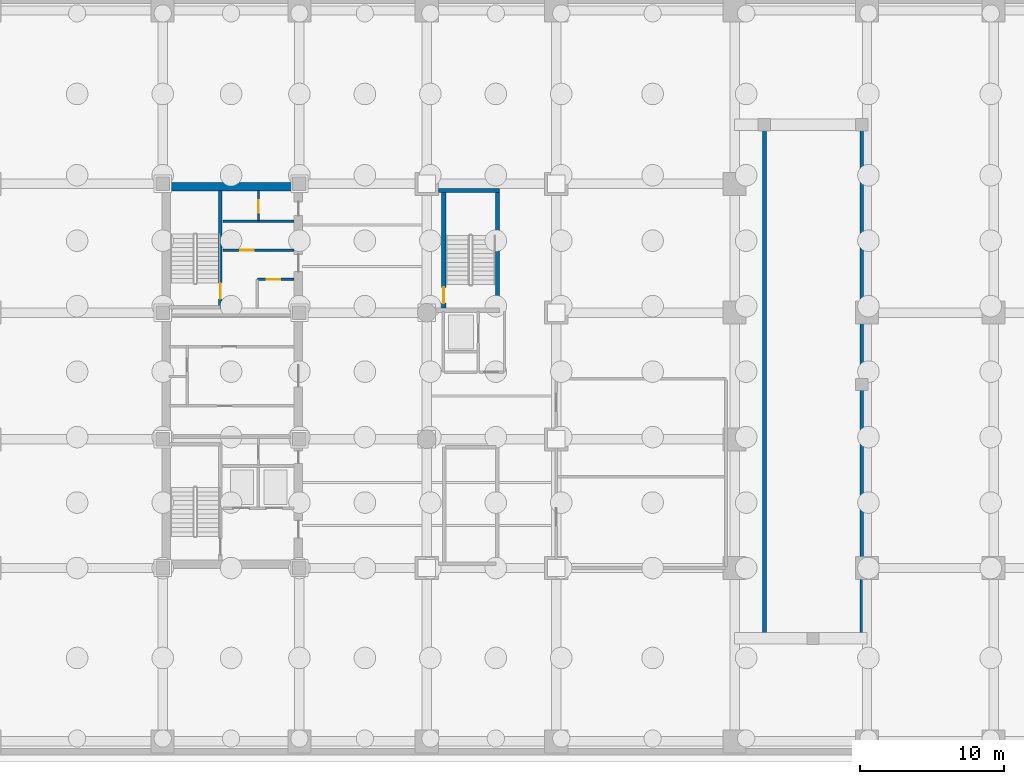
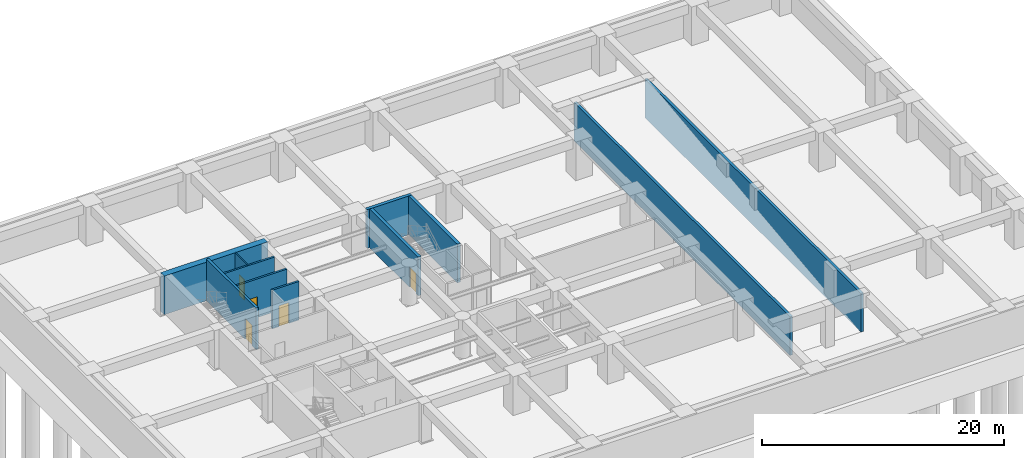
# One storey, part 6 of 9: 11 walls, 5 doors, 5 openings.
"""IFC4 building model written with IfcOpenShell, lengths in metres."""

from ifc_helpers import new_model, si_unit, direction, frame, frame_2d, origin, place, context, subcontext, project, spatial, rectangle, extrude, material, layer, layer_set, type_object, element, fill, save


model = new_model("IFC4")

# Units and contexts
model_context = context("Model", 3, precision=1e-05, world=origin(), true_north=direction((0.0, 1.0)))
body_context = subcontext(model_context, "Body", "Model", "MODEL_VIEW")
ifc_project = project(units=[si_unit("LENGTHUNIT", "METRE"), si_unit("AREAUNIT", "SQUARE_METRE"), si_unit("VOLUMEUNIT", "CUBIC_METRE"), si_unit("PLANEANGLEUNIT", "RADIAN"), si_unit("MASSUNIT", "GRAM", prefix="KILO")], contexts=[model_context])

# Site, building, storey
site_placement = place(None, origin())
site = spatial("IfcSite", under=ifc_project, at=site_placement, CompositionType="ELEMENT")
building_placement = place(site_placement, origin())
building = spatial("IfcBuilding", under=site, at=building_placement, Name="Kundavana Baori Tower", CompositionType="ELEMENT")
storey_placement = place(building_placement, frame((0.0, 0.0, -8.39990234375)))
storey = spatial("IfcBuildingStorey", under=building, at=storey_placement, Name="B02", CompositionType="ELEMENT", Elevation=-8.39990234375)

# Wall, opening, door
ifc_material_1 = material(Name="Concrete C50/60", Category="concrete")
ifc_layer_1 = layer(ifc_material_1, 0.39990234375, Name="WL-CORE-400")
ifc_layer_set_1 = layer_set([ifc_layer_1], Name="Concrete C50/60")
wall_type_1 = type_object("IfcWallType", Name="WL-CORE-400", PredefinedType="SHEAR", material=ifc_layer_set_1)
wall_1_placement = place(storey_placement, frame((19.4599609375, 33.300048828125, 0.0), z_axis=(0.0, 0.0, 1.0), x_axis=(0.0, 1.0, 0.0)))
wall_1 = element("IfcWall", 1, at=wall_1_placement, inside=storey, type_object=wall_type_1, Name="WL-B02-ST2-E", PredefinedType="SHEAR", context=body_context, shape_type="SweptSolid", body=[
    extrude(rectangle(XDim=8.179931640625, YDim=0.239990234375, at=frame_2d((4.08984375, 0.0))), origin(), (0.0, 0.0, 1.0), 4.199951171875),
])
opening_1_placement = place(wall_1_placement, frame((0.64990234375, 0.0, 0.0)))
opening_1 = element("IfcOpeningElement", 2, at=opening_1_placement, cuts=wall_1, Name="Opening FD-110", PredefinedType="OPENING", context=body_context, shape_type="SweptSolid", body=[
    extrude(rectangle(XDim=1.10009765625, YDim=2.10009765625, at=frame_2d((0.550048828125, 1.050048828125))), frame((0.0, 0.1298828125, 0.0), z_axis=(0.0, -1.0, 0.0), x_axis=(1.0, 0.0, 0.0)), (0.0, 0.0, 1.0), 0.260009765625),
])
ifc_material_2 = material(Name="Galvanised Steel Fire-Rated Door Leaf", Category="steel")
door_type_1 = type_object("IfcDoorType", Name="DR-FD120-1100", OperationType="NOTDEFINED", PredefinedType="DOOR", material=ifc_material_2)
door_1_placement = place(opening_1_placement, origin())
door_1 = element("IfcDoor", 3, at=door_1_placement, inside=storey, type_object=door_type_1, Name="DR-B02-ST2", OperationType="SINGLE_SWING_RIGHT", OverallHeight=2.10009765625, OverallWidth=1.10009765625, PredefinedType="DOOR", context=body_context, shape_type="SweptSolid", body=[
    extrude(rectangle(XDim=1.10009765625, YDim=2.10009765625, at=frame_2d((0.550048828125, 1.050048828125))), frame((0.0, 0.02490234375, 0.0), z_axis=(0.0, -1.0, 0.0), x_axis=(1.0, 0.0, 0.0)), (0.0, 0.0, 1.0), 0.050048828125),
])
fill(opening_1, door_1)

# Wall
ifc_material_3 = material(Name="Concrete C60/75", Category="concrete")
ifc_layer_2 = layer(ifc_material_3, 0.60009765625, Name="WL-CORE-600")
ifc_layer_set_2 = layer_set([ifc_layer_2], Name="Concrete C60/75")
wall_type_2 = type_object("IfcWallType", Name="WL-CORE-600", PredefinedType="SHEAR", material=ifc_layer_set_2)
wall_2_placement = place(storey_placement, frame((15.300048828125, 41.739990234375, 0.0), z_axis=(0.0, 0.0, 1.0), x_axis=(1.0, 0.0, 0.0)))
element("IfcWall", 4, at=wall_2_placement, inside=storey, type_object=wall_type_2, Name="B02 Offset Core North Shear Wall", PredefinedType="SHEAR", context=body_context, shape_type="SweptSolid", body=[
    extrude(rectangle(XDim=9.8798828125, YDim=0.60009765625, at=frame_2d((4.93994140625, 0.0))), origin(), (0.0, 0.0, 1.0), 3.89990234375),
])

# Wall, opening, door
ifc_material_4 = material(Name="Acoustic Gypsum Plasterboard on Galvanised Steel Studs", Category="steel")
ifc_layer_3 = layer(ifc_material_4, 0.1201171875, Name="WL-PART-120")
ifc_layer_set_3 = layer_set([ifc_layer_3], Name="Acoustic Gypsum Plasterboard on Galvanised Steel Studs")
wall_type_3 = type_object("IfcWallType", Name="WL-PART-120", PredefinedType="PARTITIONING", material=ifc_layer_set_3)
wall_3_placement = place(storey_placement, frame((22.10009765625, 39.39990234375, 0.0), z_axis=(0.0, 0.0, 1.0), x_axis=(0.0, 1.0, 0.0)))
wall_3 = element("IfcWall", 5, at=wall_3_placement, inside=storey, type_object=wall_type_3, Name="WL-B02-CSRV-D1", PredefinedType="PARTITIONING", context=body_context, shape_type="SweptSolid", body=[
    extrude(rectangle(XDim=2.080078125, YDim=0.1201171875, at=frame_2d((1.0400390625, 0.0))), origin(), (0.0, 0.0, 1.0), 3.89990234375),
])
opening_2_placement = place(wall_3_placement, frame((0.550048828125, 0.0, 0.0)))
opening_2 = element("IfcOpeningElement", 6, at=opening_2_placement, cuts=wall_3, Name="Opening FD-085", PredefinedType="OPENING", context=body_context, shape_type="SweptSolid", body=[
    extrude(rectangle(XDim=0.85009765625, YDim=2.06005859375, at=frame_2d((0.425048828125, 1.030029296875))), frame((0.0, 0.070068359375, 0.0), z_axis=(0.0, -1.0, 0.0), x_axis=(1.0, 0.0, 0.0)), (0.0, 0.0, 1.0), 0.14013671875),
])
ifc_material_5 = material(Name="Galvanised Steel Fire-Rated Door Leaf", Category="steel")
door_type_2 = type_object("IfcDoorType", Name="DR-FD60-850", OperationType="NOTDEFINED", PredefinedType="DOOR", material=ifc_material_5)
door_2_placement = place(opening_2_placement, origin())
door_2 = element("IfcDoor", 7, at=door_2_placement, inside=storey, type_object=door_type_2, Name="DR-B02-CSRV1", OperationType="SINGLE_SWING_LEFT", OverallHeight=2.06005859375, OverallWidth=0.85009765625, PredefinedType="DOOR", context=body_context, shape_type="SweptSolid", body=[
    extrude(rectangle(XDim=0.85009765625, YDim=2.06005859375, at=frame_2d((0.425048828125, 1.030029296875))), frame((0.0, 0.02490234375, 0.0), z_axis=(0.0, -1.0, 0.0), x_axis=(1.0, 0.0, 0.0)), (0.0, 0.0, 1.0), 0.050048828125),
])
fill(opening_2, door_2)

# Walls
ifc_material_6 = material(Name="Concrete C40/50", Category="concrete")
ifc_layer_4 = layer(ifc_material_6, 0.25, Name="WL-RMP-250")
ifc_layer_set_4 = layer_set([ifc_layer_4], Name="Concrete C40/50")
wall_type_4 = type_object("IfcWallType", Name="WL-RMP-250", PredefinedType="SHEAR", material=ifc_layer_set_4)
for number, where, z_axis, x_axis, name in (
    (8, (57.27490234375, 10.5, 0.0), (0.0, 0.0, 1.0), (0.0, 1.0, 0.0), "B02 Vehicle Ramp West Shaft Wall"),
    (9, (64.02490234375, 10.5, 0.0), (0.0, 0.0, 1.0), (0.0, 1.0, 0.0), "B02 Vehicle Ramp East Shaft Wall"),
):
    element("IfcWall", number, at=place(storey_placement, frame(where, z_axis=z_axis, x_axis=x_axis)), inside=storey, type_object=wall_type_4, Name=name, PredefinedType="SHEAR", context=body_context, shape_type="SweptSolid", body=[
        extrude(rectangle(XDim=35.699951171875, YDim=0.25, at=frame_2d((17.85009765625, 0.0))), origin(), (0.0, 0.0, 1.0), 3.89990234375),
    ])

# Wall, opening, door
ifc_material_7 = material(Name="Autoclaved Aerated Concrete Blockwork Masonry", Category="masonry")
ifc_layer_5 = layer(ifc_material_7, 0.179931640625, Name="WL-SHAFT-180")
ifc_layer_set_5 = layer_set([ifc_layer_5], Name="Autoclaved Aerated Concrete Blockwork Masonry")
wall_type_5 = type_object("IfcWallType", Name="WL-SHAFT-180", PredefinedType="SOLIDWALL", material=ifc_layer_set_5)
wall_4_placement = place(storey_placement, frame((22.02001953125, 35.31005859375, 0.0), z_axis=(0.0, 0.0, 1.0), x_axis=(1.0, 0.0, 0.0)))
wall_4 = element("IfcWall", 10, at=wall_4_placement, inside=storey, type_object=wall_type_5, Name="WL-B02-LP11-N", PredefinedType="SOLIDWALL", context=body_context, shape_type="SweptSolid", body=[
    extrude(rectangle(XDim=2.56005859375, YDim=0.179931640625, at=frame_2d((1.280029296875, 0.0))), origin(), (0.0, 0.0, 1.0), 3.89990234375),
])
opening_3_placement = place(wall_4_placement, frame((0.64990234375, 0.0, 0.0)))
opening_3 = element("IfcOpeningElement", 11, at=opening_3_placement, cuts=wall_4, Name="Opening FD-095", PredefinedType="OPENING", context=body_context, shape_type="SweptSolid", body=[
    extrude(rectangle(XDim=0.949951171875, YDim=2.10009765625, at=frame_2d((0.47509765625, 1.050048828125))), frame((0.0, 0.10009765625, 0.0), z_axis=(0.0, -1.0, 0.0), x_axis=(1.0, 0.0, 0.0)), (0.0, 0.0, 1.0), 0.199951171875),
])
ifc_material_8 = material(Name="Engineered Teak Fire-Rated Timber Door Leaf", Category="wood")
door_type_3 = type_object("IfcDoorType", Name="DR-FD60-950", OperationType="NOTDEFINED", PredefinedType="DOOR", material=ifc_material_8)
door_3_placement = place(opening_3_placement, origin())
door_3 = element("IfcDoor", 12, at=door_3_placement, inside=storey, type_object=door_type_3, Name="DR-B02-BSMTHR2", OperationType="SINGLE_SWING_RIGHT", OverallHeight=2.10009765625, OverallWidth=0.949951171875, PredefinedType="DOOR", context=body_context, shape_type="SweptSolid", body=[
    extrude(rectangle(XDim=0.949951171875, YDim=2.10009765625, at=frame_2d((0.47509765625, 1.050048828125))), frame((0.0, 0.02490234375, 0.0), z_axis=(0.0, -1.0, 0.0), x_axis=(1.0, 0.0, 0.0)), (0.0, 0.0, 1.0), 0.050048828125),
])
fill(opening_3, door_3)

wall_5_placement = place(storey_placement, frame((19.639892578125, 37.340087890625, 0.0), z_axis=(0.0, 0.0, 1.0), x_axis=(1.0, 0.0, 0.0)))
wall_5 = element("IfcWall", 13, at=wall_5_placement, inside=storey, type_object=wall_type_5, Name="WL-B02-HRLOB-N", PredefinedType="SOLIDWALL", context=body_context, shape_type="SweptSolid", body=[
    extrude(rectangle(XDim=4.940185546875, YDim=0.179931640625, at=frame_2d((2.47021484375, 0.0))), origin(), (0.0, 0.0, 1.0), 3.89990234375),
])
opening_4_placement = place(wall_5_placement, frame((1.199951171875, 0.0, 0.0)))
opening_4 = element("IfcOpeningElement", 14, at=opening_4_placement, cuts=wall_5, Name="Opening FD-095", PredefinedType="OPENING", context=body_context, shape_type="SweptSolid", body=[
    extrude(rectangle(XDim=0.949951171875, YDim=2.10009765625, at=frame_2d((0.47509765625, 1.050048828125))), frame((0.0, 0.10009765625, 0.0), z_axis=(0.0, -1.0, 0.0), x_axis=(1.0, 0.0, 0.0)), (0.0, 0.0, 1.0), 0.199951171875),
])
door_4_placement = place(opening_4_placement, frame((0.949951171875, 0.0, 0.0), z_axis=(0.0, 0.0, 1.0), x_axis=(-1.0, 0.0, 0.0)))
door_4 = element("IfcDoor", 15, at=door_4_placement, inside=storey, type_object=door_type_3, Name="DR-B02-BSMTHR1", OperationType="SINGLE_SWING_LEFT", OverallHeight=2.10009765625, OverallWidth=0.949951171875, PredefinedType="DOOR", context=body_context, shape_type="SweptSolid", body=[
    extrude(rectangle(XDim=0.949951171875, YDim=2.10009765625, at=frame_2d((0.47509765625, 1.050048828125))), frame((0.0, 0.02490234375, 0.0), z_axis=(0.0, -1.0, 0.0), x_axis=(1.0, 0.0, 0.0)), (0.0, 0.0, 1.0), 0.050048828125),
])
fill(opening_4, door_4)

# Walls
wall_6_placement = place(storey_placement, frame((19.639892578125, 39.360107421875, 0.0), z_axis=(0.0, 0.0, 1.0), x_axis=(1.0, 0.0, 0.0)))
element("IfcWall", 16, at=wall_6_placement, inside=storey, type_object=wall_type_5, Name="WL-B02-HRLOB-TOP", PredefinedType="SOLIDWALL", context=body_context, shape_type="SweptSolid", body=[
    extrude(rectangle(XDim=4.940185546875, YDim=0.179931640625, at=frame_2d((2.47021484375, 0.0))), origin(), (0.0, 0.0, 1.0), 3.89990234375),
])
ifc_material_9 = material(Name="Concrete C50/60", Category="concrete")
ifc_layer_6 = layer(ifc_material_9, 0.300048828125, Name="WL-ST3-300")
ifc_layer_set_6 = layer_set([ifc_layer_6], Name="Concrete C50/60")
wall_type_6 = type_object("IfcWallType", Name="WL-ST3-300", PredefinedType="SHEAR", material=ifc_layer_set_6)
wall_7_placement = place(storey_placement, frame((34.60009765625, 41.489990234375, 0.0), z_axis=(0.0, 0.0, 1.0), x_axis=(1.0, 0.0, 0.0)))
element("IfcWall", 17, at=wall_7_placement, inside=storey, type_object=wall_type_6, Name="B02 Stair ST3 North Shear Wall", PredefinedType="SHEAR", context=body_context, shape_type="SweptSolid", body=[
    extrude(rectangle(XDim=4.27001953125, YDim=0.300048828125, at=frame_2d((2.135009765625, 0.0))), origin(), (0.0, 0.0, 1.0), 3.89990234375),
])

# Wall, opening, door
wall_8_placement = place(storey_placement, frame((34.97998046875, 33.31005859375, 0.0), z_axis=(0.0, 0.0, 1.0), x_axis=(0.0, 1.0, 0.0)))
wall_8 = element("IfcWall", 18, at=wall_8_placement, inside=storey, type_object=wall_type_6, Name="B02 Stair ST3 West Shear Wall", PredefinedType="SHEAR", context=body_context, shape_type="SweptSolid", body=[
    extrude(rectangle(XDim=8.030029296875, YDim=0.300048828125, at=frame_2d((4.01513671875, 0.0))), origin(), (0.0, 0.0, 1.0), 3.89990234375),
])
opening_5_placement = place(wall_8_placement, frame((0.35009765625, 0.0, 0.0)))
opening_5 = element("IfcOpeningElement", 19, at=opening_5_placement, cuts=wall_8, Name="Opening FD-110", PredefinedType="OPENING", context=body_context, shape_type="SweptSolid", body=[
    extrude(rectangle(XDim=1.10009765625, YDim=2.10009765625, at=frame_2d((0.550048828125, 1.050048828125))), frame((0.0, 0.16015625, 0.0), z_axis=(0.0, -1.0, 0.0), x_axis=(1.0, 0.0, 0.0)), (0.0, 0.0, 1.0), 0.320068359375),
])
door_5_placement = place(opening_5_placement, origin())
door_5 = element("IfcDoor", 20, at=door_5_placement, inside=storey, type_object=door_type_1, Name="DR-B02-ST3-W", OperationType="SINGLE_SWING_LEFT", OverallHeight=2.10009765625, OverallWidth=1.10009765625, PredefinedType="DOOR", context=body_context, shape_type="SweptSolid", body=[
    extrude(rectangle(XDim=1.10009765625, YDim=2.10009765625, at=frame_2d((0.550048828125, 1.050048828125))), frame((0.0, 0.02490234375, 0.0), z_axis=(0.0, -1.0, 0.0), x_axis=(1.0, 0.0, 0.0)), (0.0, 0.0, 1.0), 0.050048828125),
])
fill(opening_5, door_5)

# Wall
wall_9_placement = place(storey_placement, frame((38.719970703125, 33.31005859375, 0.0), z_axis=(0.0, 0.0, 1.0), x_axis=(0.0, 1.0, 0.0)))
element("IfcWall", 21, at=wall_9_placement, inside=storey, type_object=wall_type_6, Name="B02 Stair ST3 East Shear Wall", PredefinedType="SHEAR", context=body_context, shape_type="SweptSolid", body=[
    extrude(rectangle(XDim=8.030029296875, YDim=0.300048828125, at=frame_2d((4.01513671875, 0.0))), origin(), (0.0, 0.0, 1.0), 3.89990234375),
])

save(model, "model.ifc")
